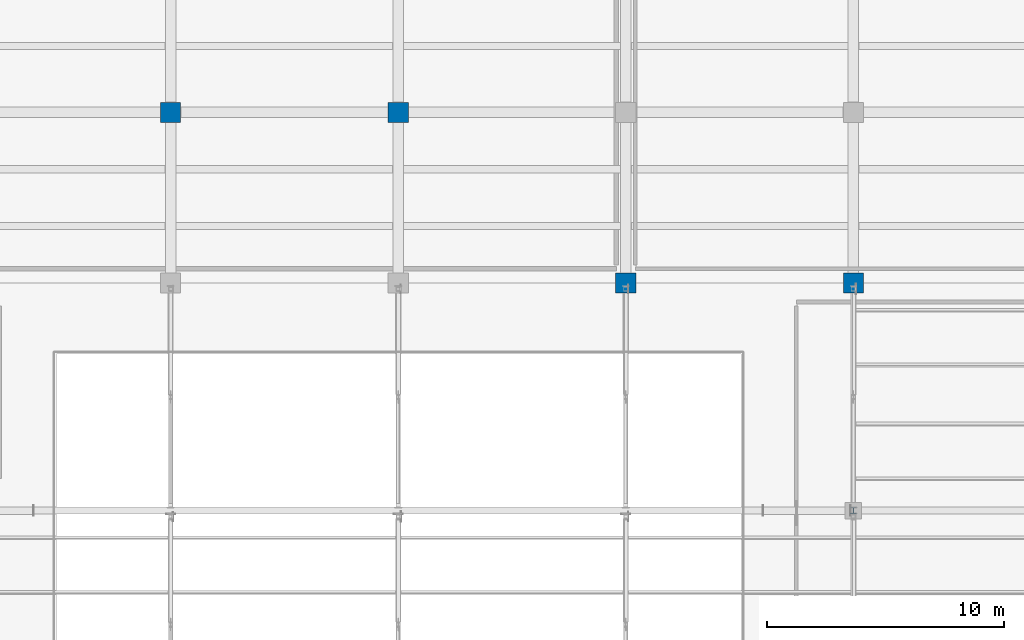
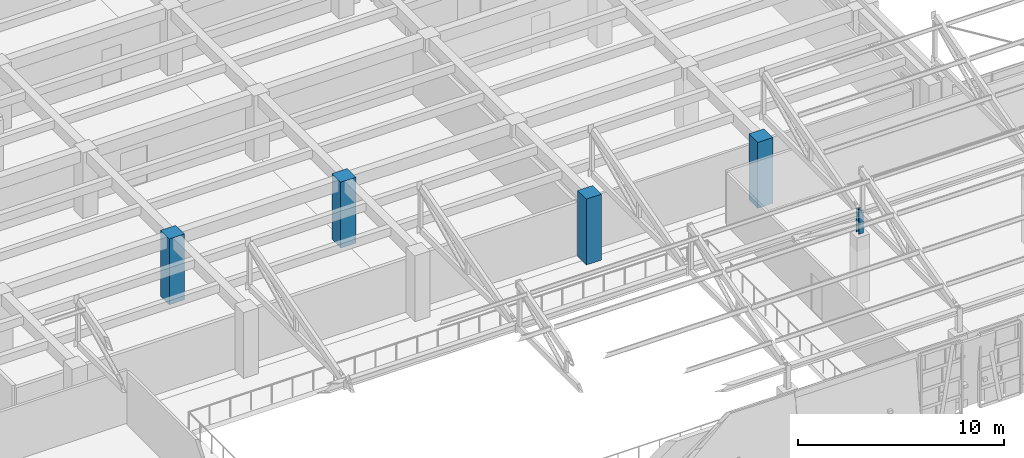
# One storey, part 8 of 58: 5 columns.
"""IFC4 building model written with IfcOpenShell, lengths in metres."""

from ifc_helpers import new_model, si_unit, direction, frame, origin, origin_2d, place, context, subcontext, project, spatial, rectangle, i_section, extrude, material, material_profile, profile_set, type_object, element, save


model = new_model("IFC4")

# Units and contexts
model_context = context("Model", 3, precision=1e-05, world=origin(), true_north=direction((0.0, 1.0)))
body_context = subcontext(model_context, "Body", "Model", "MODEL_VIEW")
ifc_project = project(units=[si_unit("LENGTHUNIT", "METRE"), si_unit("AREAUNIT", "SQUARE_METRE"), si_unit("VOLUMEUNIT", "CUBIC_METRE"), si_unit("PLANEANGLEUNIT", "RADIAN"), si_unit("MASSUNIT", "GRAM", prefix="KILO")], contexts=[model_context])

# Site, building, storey
site_placement = place(None, origin())
site = spatial("IfcSite", under=ifc_project, at=site_placement, CompositionType="ELEMENT")
building_placement = place(site_placement, origin())
building = spatial("IfcBuilding", under=site, at=building_placement, Name="Bempovik Park Faculty of Sciences", CompositionType="ELEMENT")
storey_placement = place(building_placement, frame((0.0, 0.0, 18.300048828125)))
storey = spatial("IfcBuildingStorey", under=building, at=storey_placement, Name="L04", CompositionType="ELEMENT", Elevation=18.300048828125)

# Columns
ifc_material_1 = material(Name="Concrete C40/50", Category="concrete")
ifc_material_profile_1 = material_profile(ifc_material_1, rectangle(XDim=0.85009765625, YDim=0.85009765625, at=origin_2d()), Name="RC 850x850")
ifc_profile_set_1 = profile_set([ifc_material_profile_1], Name="Concrete C40/50")
column_type_1 = type_object("IfcColumnType", Name="C-36 RC 850x850", PredefinedType="COLUMN", material=ifc_profile_set_1)
for number, where, z_axis, x_axis, name in (
    (1, (79.199951171875, 94.199951171875, 0.0), (0.0, 0.0, 1.0), (1.0, 0.0, 0.0), "L04 Structural Column (79.2,94.2)"),
    (2, (88.800048828125, 94.199951171875, 0.0), (0.0, 0.0, 1.0), (1.0, 0.0, 0.0), "L04 Structural Column (88.8,94.2)"),
    (3, (98.39990234375, 87.0, 0.0), (0.0, 0.0, 1.0), (1.0, 0.0, 0.0), "L04 Structural Column (98.4,87.0)"),
    (4, (108.0, 87.0, 0.0), (0.0, 0.0, 1.0), (1.0, 0.0, 0.0), "L04 Structural Column (108.0,87.0)"),
):
    element("IfcColumn", number, at=place(storey_placement, frame(where, z_axis=z_axis, x_axis=x_axis)), inside=storey, type_object=column_type_1, Name=name, PredefinedType="COLUMN", context=body_context, shape_type="SweptSolid", body=[
        extrude(rectangle(XDim=0.85009765625, YDim=0.85009765625, at=origin_2d()), origin(), (0.0, 0.0, 1.0), 3.89990234375),
    ])
ifc_material_2 = material(Name="Steel S355", Category="steel")
ifc_material_profile_2 = material_profile(ifc_material_2, i_section(OverallWidth=0.260009765625, OverallDepth=0.260009765625, WebThickness=0.010009765625, FlangeThickness=0.017578125, at=origin_2d()), Name="HEB 260")
ifc_profile_set_2 = profile_set([ifc_material_profile_2], Name="Steel S355")
column_type_2 = type_object("IfcColumnType", Name="C-80 HEB 260", PredefinedType="COLUMN", material=ifc_profile_set_2)
column_placement = place(storey_placement, frame((108.0, 77.39990234375, 3.98583984375), z_axis=(0.0, 0.0, 1.0), x_axis=(1.0, 0.0, 0.0)))
element("IfcColumn", 5, at=column_placement, inside=storey, type_object=column_type_2, Name="Sawtooth Clerestory Steel Column V2 (108.0,77.4)", PredefinedType="COLUMN", context=body_context, shape_type="SweptSolid", body=[
    extrude(i_section(OverallWidth=0.260009765625, OverallDepth=0.260009765625, WebThickness=0.010009765625, FlangeThickness=0.017578125, at=origin_2d()), origin(), (0.0, 0.0, 1.0), 1.38916015625),
])

save(model, "model.ifc")
